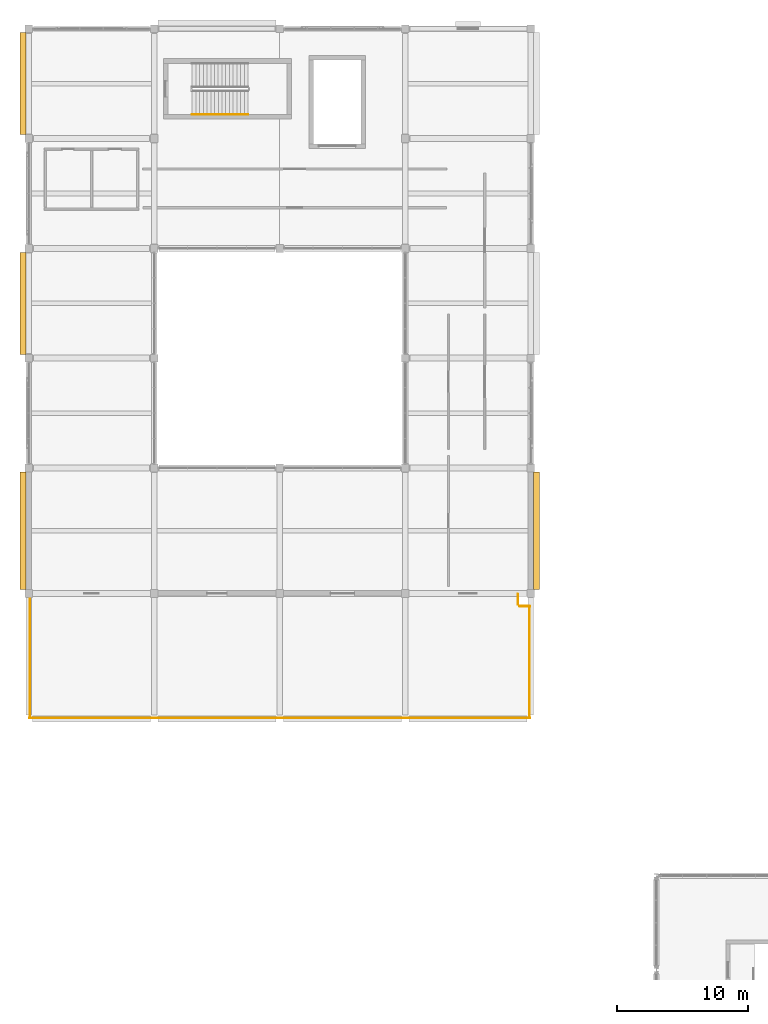
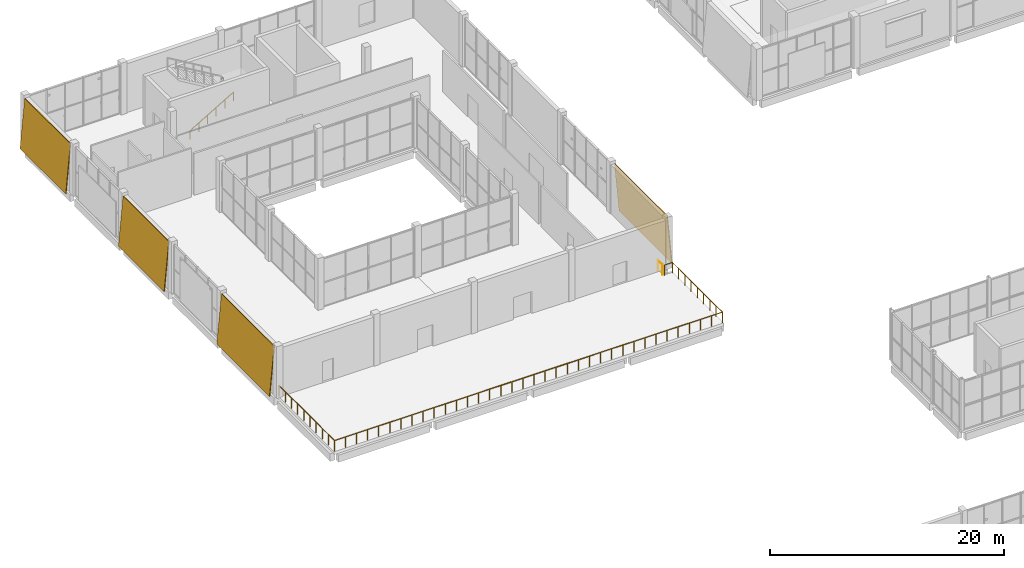
# One storey, part 73 of 83: 6 railings, 4 coverings.
"""IFC4 building model written with IfcOpenShell, lengths in metres."""

from ifc_helpers import new_model, si_unit, direction, frame, origin, origin_2d, place, context, subcontext, project, spatial, polyline, circle, outline, extrude, material, layer, layer_set, type_object, element, save


model = new_model("IFC4")

# Units and contexts
model_context = context("Model", 3, precision=1e-05, world=origin(), true_north=direction((0.0, 1.0)))
body_context = subcontext(model_context, "Body", "Model", "MODEL_VIEW")
ifc_project = project(units=[si_unit("LENGTHUNIT", "METRE"), si_unit("AREAUNIT", "SQUARE_METRE"), si_unit("VOLUMEUNIT", "CUBIC_METRE"), si_unit("PLANEANGLEUNIT", "RADIAN"), si_unit("MASSUNIT", "GRAM", prefix="KILO")], contexts=[model_context])

# Site, building, storey
site_placement = place(None, origin())
site = spatial("IfcSite", under=ifc_project, at=site_placement, CompositionType="ELEMENT")
building_placement = place(site_placement, origin())
building = spatial("IfcBuilding", under=site, at=building_placement, Name="Shalvenor Court Art Gallery", CompositionType="ELEMENT")
storey_placement = place(building_placement, frame((0.0, 0.0, 6.0)))
storey = spatial("IfcBuildingStorey", under=building, at=storey_placement, Name="L01", CompositionType="ELEMENT", Elevation=6.0)

# Coverings
ifc_material_1 = material(Name="Honed Jerusalem limestone cladding", Category="masonry")
ifc_layer = layer(ifc_material_1, 0.06494140625, Name="Honed Jerusalem limestone cladding")
ifc_layer_set = layer_set([ifc_layer], Name="Honed Jerusalem limestone cladding")
covering_type = type_object("IfcCoveringType", Name="CLD-02", PredefinedType="CLADDING", material=ifc_layer_set)
for number, where, z_axis, x_axis, name in (
    (1, (39.072265625, 79.5, 0.0), (0.0, 0.0, 1.0), (0.0, 1.0, 0.0), "L01 V5 Tapered Limestone Cladding 102"),
    (2, (-0.67236328125, 88.5, 0.0), (0.0, 0.0, 1.0), (0.0, -1.0, 0.0), "L01 V5 Tapered Limestone Cladding 103"),
):
    element("IfcCovering", number, at=place(storey_placement, frame(where, z_axis=z_axis, x_axis=x_axis)), inside=storey, type_object=covering_type, Name=name, PredefinedType="CLADDING", context=body_context, shape_type="SweptSolid", body=[
        extrude(outline(polyline([(0.0, 0.0), (9.0, 0.0), (9.0, 5.10107421875), (0.0, 5.10107421875), (0.0, 0.0)])), frame((0.0, 0.0, 0.0), z_axis=(0.0, -0.995884398616, 0.090632580198), x_axis=(1.0, 0.0, 0.0)), (0.0, 0.090632580198, -0.995884398616), 0.080322265625),
    ])
for number, where, z_axis, x_axis, name in (
    (3, (-0.67236328125, 105.300048828125, 0.0), (0.0, 0.0, 1.0), (0.0, -1.0, 0.0), "L01 V5 Tapered Limestone Cladding 104"),
    (4, (-0.67236328125, 122.10009765625, 0.0), (0.0, 0.0, 1.0), (0.0, -1.0, 0.0), "L01 V5 Tapered Limestone Cladding 105"),
):
    element("IfcCovering", number, at=place(storey_placement, frame(where, z_axis=z_axis, x_axis=x_axis)), inside=storey, type_object=covering_type, Name=name, PredefinedType="CLADDING", context=body_context, shape_type="SweptSolid", body=[
        extrude(outline(polyline([(0.0, 0.0), (7.800048828125, 0.0), (7.800048828125, 5.10107421875), (0.0, 5.10107421875), (0.0, 0.0)])), frame((0.0, 0.0, 0.0), z_axis=(0.0, -0.995884398616, 0.090632580198), x_axis=(1.0, 0.0, 0.0)), (0.0, 0.090632580198, -0.995884398616), 0.080322265625),
    ])

# Railings
ifc_material_2 = material(Name="Stainless steel and laminated glass balustrade", Category="steel")
railing_type_1 = type_object("IfcRailingType", Name="GR-01", PredefinedType="BALUSTRADE", material=ifc_material_2)
railing_1_placement = place(storey_placement, frame((38.340087890625, 69.679931640625, 0.0)))
element("IfcRailing", 5, at=railing_1_placement, inside=storey, type_object=railing_type_1, Name="L01 V5 Terrace Balustrade 46", PredefinedType="BALUSTRADE", context=body_context, shape_type="SweptSolid", body=[
    extrude(circle(Radius=0.02392578125, at=origin_2d()), frame((0.0, 0.0, 1.09619140625), z_axis=(-1.0, 0.0, 0.0), x_axis=(0.0, -1.0, 0.0)), (0.0, 0.0, 1.0), 38.280029296875),
    extrude(circle(Radius=0.02099609375, at=origin_2d()), origin(), (0.0, 0.0, 1.0), 1.072021484375),
    extrude(circle(Radius=0.02099609375, at=origin_2d()), frame((-1.09375, 0.0, 0.0)), (0.0, 0.0, 1.0), 1.072021484375),
    extrude(circle(Radius=0.02099609375, at=origin_2d()), frame((-2.1875, 0.0, 0.0)), (0.0, 0.0, 1.0), 1.072021484375),
    extrude(circle(Radius=0.02099609375, at=origin_2d()), frame((-3.28125, 0.0, 0.0)), (0.0, 0.0, 1.0), 1.072021484375),
    extrude(circle(Radius=0.02099609375, at=origin_2d()), frame((-4.374755859375, 0.0, 0.0)), (0.0, 0.0, 1.0), 1.072021484375),
    extrude(circle(Radius=0.02099609375, at=origin_2d()), frame((-5.468505859375, 0.0, 0.0)), (0.0, 0.0, 1.0), 1.072021484375),
    extrude(circle(Radius=0.02099609375, at=origin_2d()), frame((-6.562255859375, 0.0, 0.0)), (0.0, 0.0, 1.0), 1.072021484375),
    extrude(circle(Radius=0.02099609375, at=origin_2d()), frame((-7.656005859375, 0.0, 0.0)), (0.0, 0.0, 1.0), 1.072021484375),
    extrude(circle(Radius=0.02099609375, at=origin_2d()), frame((-8.749755859375, 0.0, 0.0)), (0.0, 0.0, 1.0), 1.072021484375),
    extrude(circle(Radius=0.02099609375, at=origin_2d()), frame((-9.843505859375, 0.0, 0.0)), (0.0, 0.0, 1.0), 1.072021484375),
    extrude(circle(Radius=0.02099609375, at=origin_2d()), frame((-10.937255859375, 0.0, 0.0)), (0.0, 0.0, 1.0), 1.072021484375),
    extrude(circle(Radius=0.02099609375, at=origin_2d()), frame((-12.03076171875, 0.0, 0.0)), (0.0, 0.0, 1.0), 1.072021484375),
    extrude(circle(Radius=0.02099609375, at=origin_2d()), frame((-13.12451171875, 0.0, 0.0)), (0.0, 0.0, 1.0), 1.072021484375),
    extrude(circle(Radius=0.02099609375, at=origin_2d()), frame((-14.21826171875, 0.0, 0.0)), (0.0, 0.0, 1.0), 1.072021484375),
    extrude(circle(Radius=0.02099609375, at=origin_2d()), frame((-15.31201171875, 0.0, 0.0)), (0.0, 0.0, 1.0), 1.072021484375),
    extrude(circle(Radius=0.02099609375, at=origin_2d()), frame((-16.40576171875, 0.0, 0.0)), (0.0, 0.0, 1.0), 1.072021484375),
    extrude(circle(Radius=0.02099609375, at=origin_2d()), frame((-17.49951171875, 0.0, 0.0)), (0.0, 0.0, 1.0), 1.072021484375),
    extrude(circle(Radius=0.02099609375, at=origin_2d()), frame((-18.59326171875, 0.0, 0.0)), (0.0, 0.0, 1.0), 1.072021484375),
    extrude(circle(Radius=0.02099609375, at=origin_2d()), frame((-19.686767578125, 0.0, 0.0)), (0.0, 0.0, 1.0), 1.072021484375),
    extrude(circle(Radius=0.02099609375, at=origin_2d()), frame((-20.780517578125, 0.0, 0.0)), (0.0, 0.0, 1.0), 1.072021484375),
    extrude(circle(Radius=0.02099609375, at=origin_2d()), frame((-21.874267578125, 0.0, 0.0)), (0.0, 0.0, 1.0), 1.072021484375),
    extrude(circle(Radius=0.02099609375, at=origin_2d()), frame((-22.968017578125, 0.0, 0.0)), (0.0, 0.0, 1.0), 1.072021484375),
    extrude(circle(Radius=0.02099609375, at=origin_2d()), frame((-24.061767578125, 0.0, 0.0)), (0.0, 0.0, 1.0), 1.072021484375),
    extrude(circle(Radius=0.02099609375, at=origin_2d()), frame((-25.155517578125, 0.0, 0.0)), (0.0, 0.0, 1.0), 1.072021484375),
    extrude(circle(Radius=0.02099609375, at=origin_2d()), frame((-26.249267578125, 0.0, 0.0)), (0.0, 0.0, 1.0), 1.072021484375),
    extrude(circle(Radius=0.02099609375, at=origin_2d()), frame((-27.3427734375, 0.0, 0.0)), (0.0, 0.0, 1.0), 1.072021484375),
    extrude(circle(Radius=0.02099609375, at=origin_2d()), frame((-28.4365234375, 0.0, 0.0)), (0.0, 0.0, 1.0), 1.072021484375),
    extrude(circle(Radius=0.02099609375, at=origin_2d()), frame((-29.5302734375, 0.0, 0.0)), (0.0, 0.0, 1.0), 1.072021484375),
    extrude(circle(Radius=0.02099609375, at=origin_2d()), frame((-30.6240234375, 0.0, 0.0)), (0.0, 0.0, 1.0), 1.072021484375),
    extrude(circle(Radius=0.02099609375, at=origin_2d()), frame((-31.7177734375, 0.0, 0.0)), (0.0, 0.0, 1.0), 1.072021484375),
    extrude(circle(Radius=0.02099609375, at=origin_2d()), frame((-32.8115234375, 0.0, 0.0)), (0.0, 0.0, 1.0), 1.072021484375),
    extrude(circle(Radius=0.02099609375, at=origin_2d()), frame((-33.9052734375, 0.0, 0.0)), (0.0, 0.0, 1.0), 1.072021484375),
    extrude(circle(Radius=0.02099609375, at=origin_2d()), frame((-34.998779296875, 0.0, 0.0)), (0.0, 0.0, 1.0), 1.072021484375),
    extrude(circle(Radius=0.02099609375, at=origin_2d()), frame((-36.092529296875, 0.0, 0.0)), (0.0, 0.0, 1.0), 1.072021484375),
    extrude(circle(Radius=0.02099609375, at=origin_2d()), frame((-37.186279296875, 0.0, 0.0)), (0.0, 0.0, 1.0), 1.072021484375),
    extrude(circle(Radius=0.02099609375, at=origin_2d()), frame((-38.280029296875, 0.0, 0.0)), (0.0, 0.0, 1.0), 1.072021484375),
])
railing_2_placement = place(storey_placement, frame((0.080078125, 69.659912109375, 0.0)))
element("IfcRailing", 6, at=railing_2_placement, inside=storey, type_object=railing_type_1, Name="L01 V5 Terrace Balustrade 47", PredefinedType="BALUSTRADE", context=body_context, shape_type="SweptSolid", body=[
    extrude(circle(Radius=0.02392578125, at=origin_2d()), frame((0.0, 0.0, 1.09619140625), z_axis=(0.0, 1.0, 0.0), x_axis=(-1.0, 0.0, 0.0)), (0.0, 0.0, 1.0), 9.47998046875),
    extrude(circle(Radius=0.02099609375, at=origin_2d()), origin(), (0.0, 0.0, 1.0), 1.072021484375),
    extrude(circle(Radius=0.02099609375, at=origin_2d()), frame((0.0, 1.05322265625, 0.0)), (0.0, 0.0, 1.0), 1.072021484375),
    extrude(circle(Radius=0.02099609375, at=origin_2d()), frame((0.0, 2.106689453125, 0.0)), (0.0, 0.0, 1.0), 1.072021484375),
    extrude(circle(Radius=0.02099609375, at=origin_2d()), frame((0.0, 3.159912109375, 0.0)), (0.0, 0.0, 1.0), 1.072021484375),
    extrude(circle(Radius=0.02099609375, at=origin_2d()), frame((0.0, 4.21337890625, 0.0)), (0.0, 0.0, 1.0), 1.072021484375),
    extrude(circle(Radius=0.02099609375, at=origin_2d()), frame((0.0, 5.2666015625, 0.0)), (0.0, 0.0, 1.0), 1.072021484375),
    extrude(circle(Radius=0.02099609375, at=origin_2d()), frame((0.0, 6.320068359375, 0.0)), (0.0, 0.0, 1.0), 1.072021484375),
    extrude(circle(Radius=0.02099609375, at=origin_2d()), frame((0.0, 7.373291015625, 0.0)), (0.0, 0.0, 1.0), 1.072021484375),
    extrude(circle(Radius=0.02099609375, at=origin_2d()), frame((0.0, 8.4267578125, 0.0)), (0.0, 0.0, 1.0), 1.072021484375),
    extrude(circle(Radius=0.02099609375, at=origin_2d()), frame((0.0, 9.47998046875, 0.0)), (0.0, 0.0, 1.0), 1.072021484375),
])
railing_3_placement = place(storey_placement, frame((37.419921875, 79.139892578125, 0.0)))
element("IfcRailing", 7, at=railing_3_placement, inside=storey, type_object=railing_type_1, Name="L01 V5 Terrace Balustrade 48", PredefinedType="BALUSTRADE", context=body_context, shape_type="SweptSolid", body=[
    extrude(circle(Radius=0.02392578125, at=origin_2d()), frame((0.0, 0.0, 1.09619140625), z_axis=(0.0, -1.0, 0.0), x_axis=(1.0, 0.0, 0.0)), (0.0, 0.0, 1.0), 0.77978515625),
    extrude(circle(Radius=0.02099609375, at=origin_2d()), origin(), (0.0, 0.0, 1.0), 1.072021484375),
    extrude(circle(Radius=0.02099609375, at=origin_2d()), frame((0.0, -0.77978515625, 0.0)), (0.0, 0.0, 1.0), 1.072021484375),
])
railing_4_placement = place(storey_placement, frame((37.56005859375, 78.219970703125, 0.0)))
element("IfcRailing", 8, at=railing_4_placement, inside=storey, type_object=railing_type_1, Name="L01 V5 Terrace Balustrade 49", PredefinedType="BALUSTRADE", context=body_context, shape_type="SweptSolid", body=[
    extrude(circle(Radius=0.02392578125, at=origin_2d()), frame((0.0, 0.0, 1.09619140625), z_axis=(1.0, 0.0, 0.0), x_axis=(0.0, 1.0, 0.0)), (0.0, 0.0, 1.0), 0.780029296875),
    extrude(circle(Radius=0.02099609375, at=origin_2d()), origin(), (0.0, 0.0, 1.0), 1.072021484375),
    extrude(circle(Radius=0.02099609375, at=origin_2d()), frame((0.780029296875, 0.0, 0.0)), (0.0, 0.0, 1.0), 1.072021484375),
])
railing_5_placement = place(storey_placement, frame((38.320068359375, 78.239990234375, 0.0)))
element("IfcRailing", 9, at=railing_5_placement, inside=storey, type_object=railing_type_1, Name="L01 V5 Terrace Balustrade 50", PredefinedType="BALUSTRADE", context=body_context, shape_type="SweptSolid", body=[
    extrude(circle(Radius=0.02392578125, at=origin_2d()), frame((0.0, 0.0, 1.09619140625), z_axis=(0.0, -1.0, 0.0), x_axis=(1.0, 0.0, 0.0)), (0.0, 0.0, 1.0), 8.580078125),
    extrude(circle(Radius=0.02099609375, at=origin_2d()), origin(), (0.0, 0.0, 1.0), 1.072021484375),
    extrude(circle(Radius=0.02099609375, at=origin_2d()), frame((0.0, -1.072509765625, 0.0)), (0.0, 0.0, 1.0), 1.072021484375),
    extrude(circle(Radius=0.02099609375, at=origin_2d()), frame((0.0, -2.14501953125, 0.0)), (0.0, 0.0, 1.0), 1.072021484375),
    extrude(circle(Radius=0.02099609375, at=origin_2d()), frame((0.0, -3.217529296875, 0.0)), (0.0, 0.0, 1.0), 1.072021484375),
    extrude(circle(Radius=0.02099609375, at=origin_2d()), frame((0.0, -4.2900390625, 0.0)), (0.0, 0.0, 1.0), 1.072021484375),
    extrude(circle(Radius=0.02099609375, at=origin_2d()), frame((0.0, -5.362548828125, 0.0)), (0.0, 0.0, 1.0), 1.072021484375),
    extrude(circle(Radius=0.02099609375, at=origin_2d()), frame((0.0, -6.43505859375, 0.0)), (0.0, 0.0, 1.0), 1.072021484375),
    extrude(circle(Radius=0.02099609375, at=origin_2d()), frame((0.0, -7.507568359375, 0.0)), (0.0, 0.0, 1.0), 1.072021484375),
    extrude(circle(Radius=0.02099609375, at=origin_2d()), frame((0.0, -8.580078125, 0.0)), (0.0, 0.0, 1.0), 1.072021484375),
])
ifc_material_3 = material(Name="Brushed stainless steel handrail", Category="steel")
railing_type_2 = type_object("IfcRailingType", Name="HR-01", PredefinedType="HANDRAIL", material=ifc_material_3)
railing_6_placement = place(storey_placement, frame((12.5, 115.85009765625, 0.168701171875)))
element("IfcRailing", 10, at=railing_6_placement, inside=storey, type_object=railing_type_2, Name="L01 ST-06 Stair Handrail 1", PredefinedType="HANDRAIL", context=body_context, shape_type="SweptSolid", body=[
    extrude(circle(Radius=0.02392578125, at=origin_2d()), frame((0.0, 0.0, 0.8759765625), z_axis=(0.860470286479, 0.0, 0.509500624227), x_axis=(0.0, 1.0, 0.0)), (0.0, 0.0, 1.0), 4.968017578125),
    extrude(circle(Radius=0.02099609375, at=origin_2d()), origin(), (0.0, 0.0, 1.0), 0.851806640625),
    extrude(circle(Radius=0.02099609375, at=origin_2d()), frame((0.85498046875, 0.0, 0.50634765625)), (0.0, 0.0, 1.0), 0.851806640625),
    extrude(circle(Radius=0.02099609375, at=origin_2d()), frame((1.7099609375, 0.0, 1.012451171875)), (0.0, 0.0, 1.0), 0.851806640625),
    extrude(circle(Radius=0.02099609375, at=origin_2d()), frame((2.56494140625, 0.0, 1.518798828125)), (0.0, 0.0, 1.0), 0.851806640625),
    extrude(circle(Radius=0.02099609375, at=origin_2d()), frame((3.419921875, 0.0, 2.02490234375)), (0.0, 0.0, 1.0), 0.851806640625),
    extrude(circle(Radius=0.02099609375, at=origin_2d()), frame((4.27490234375, 0.0, 2.53125)), (0.0, 0.0, 1.0), 0.851806640625),
])

save(model, "model.ifc")
